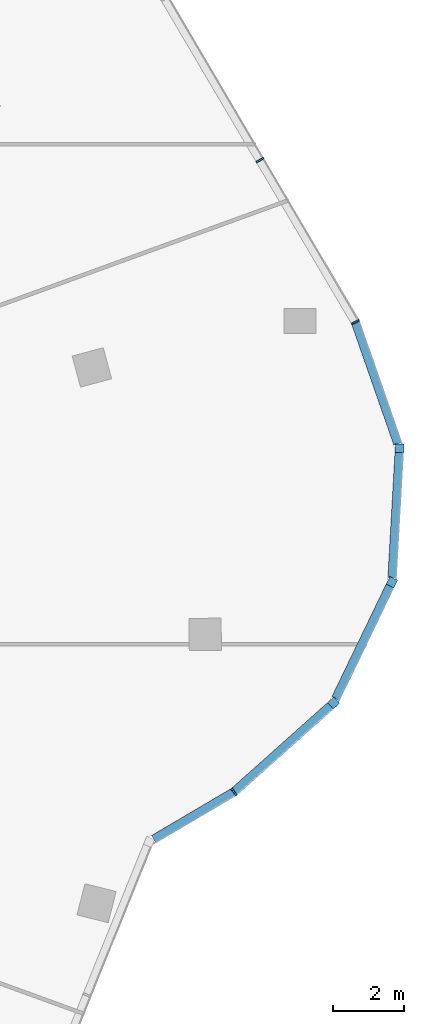
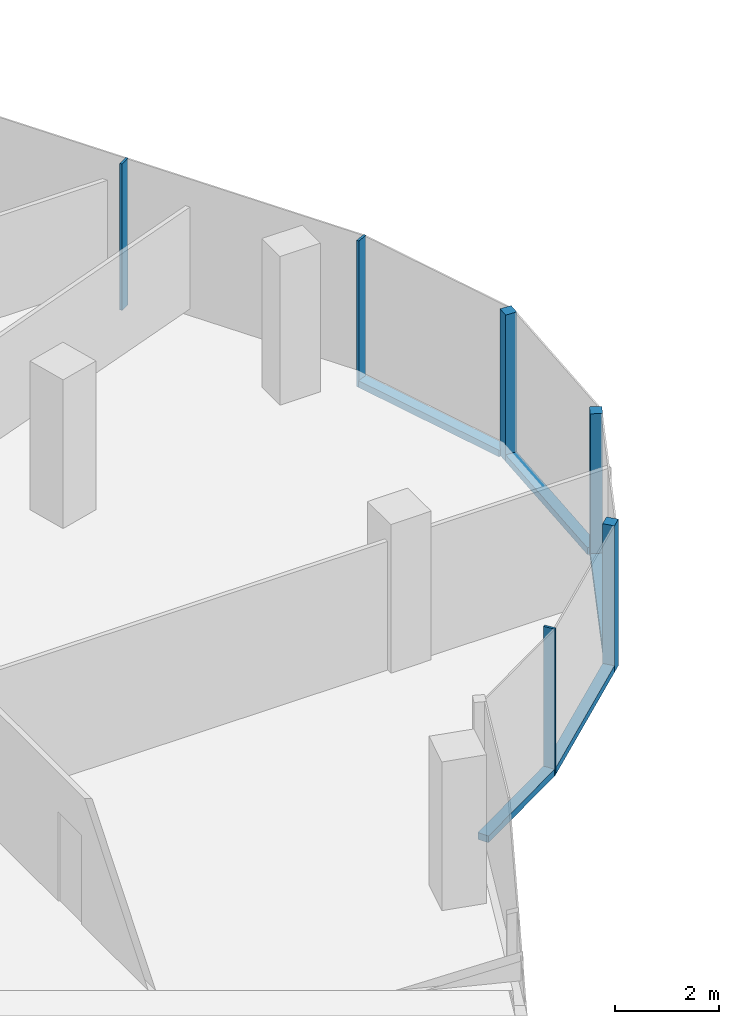
# One storey, part 9 of 17: 11 members, 6 elements without a shape of their own.
"""IFC4 building model written with IfcOpenShell, lengths in metres."""

from ifc_helpers import new_model, si_unit, direction, frame, origin, origin_2d, place, context, subcontext, project, spatial, rectangle, extrude, material, material_profile, profile_set, type_object, element, aggregate, save


model = new_model("IFC4")

# Units and contexts
model_context = context("Model", 3, precision=1e-05, world=origin(), true_north=direction((0.0, 1.0)))
body_context = subcontext(model_context, "Body", "Model", "MODEL_VIEW")
ifc_project = project(units=[si_unit("LENGTHUNIT", "METRE"), si_unit("AREAUNIT", "SQUARE_METRE"), si_unit("VOLUMEUNIT", "CUBIC_METRE"), si_unit("PLANEANGLEUNIT", "RADIAN"), si_unit("MASSUNIT", "GRAM", prefix="KILO")], contexts=[model_context])

# Site, building, storey
site_placement = place(None, origin())
site = spatial("IfcSite", under=ifc_project, at=site_placement, CompositionType="ELEMENT")
building_placement = place(site_placement, origin())
building = spatial("IfcBuilding", under=site, at=building_placement, Name="Orlundy Tower", CompositionType="ELEMENT")
storey_placement = place(building_placement, frame((0.0, 0.0, 296.39990234375)))
storey = spatial("IfcBuildingStorey", under=building, at=storey_placement, Name="L79", CompositionType="ELEMENT", Elevation=296.39990234375)

# Curtain wall, member
ifc_material_1 = material(Name="Aluminium bronze anodised", Category="aluminium")
curtain_wall_type = type_object("IfcCurtainWallType", Name="CW6 wall", PredefinedType="NOTDEFINED", material=ifc_material_1)
curtain_wall_1_placement = place(storey_placement, origin())
curtain_wall_1 = element("IfcCurtainWall", 1, at=curtain_wall_1_placement, inside=storey, type_object=curtain_wall_type, Name="CW6 run 015", PredefinedType="NOTDEFINED")
ifc_material_2 = material(Name="Aluminium bronze anodised", Category="aluminium")
ifc_material_profile_1 = material_profile(ifc_material_2, rectangle(XDim=0.239990234375, YDim=0.239990234375, at=origin_2d()), Name="CW6 corner post 240x240")
ifc_profile_set_1 = profile_set([ifc_material_profile_1], Name="Aluminium bronze anodised")
member_type_1 = type_object("IfcMemberType", Name="CW6 corner post 240x240", PredefinedType="MULLION", material=ifc_profile_set_1)
member_1_placement = place(storey_placement, frame((37.26025390625, 5.488037109375, -0.39990234375), z_axis=(0.0, 0.0, 1.0), x_axis=(0.998394082315, -0.056650299193, 0.0)))
member_1 = element("IfcMember", 2, at=member_1_placement, type_object=member_type_1, Name="CW6 mullion 43", PredefinedType="MULLION", context=body_context, shape_type="SweptSolid", body=[
    extrude(rectangle(XDim=0.239990234375, YDim=0.239990234375, at=origin_2d()), origin(), (0.0, 0.0, 1.0), 3.449951171875),
])

curtain_wall_2_placement = place(storey_placement, origin())
curtain_wall_2 = element("IfcCurtainWall", 3, at=curtain_wall_2_placement, inside=storey, type_object=curtain_wall_type, Name="CW6 run 016", PredefinedType="NOTDEFINED")
member_2_placement = place(storey_placement, frame((37.04736328125, 1.7392578125, -0.39990234375), z_axis=(0.0, 0.0, 1.0), x_axis=(0.900704581715, -0.434432108019, 0.0)))
member_2 = element("IfcMember", 4, at=member_2_placement, type_object=member_type_1, Name="CW6 mullion 44", PredefinedType="MULLION", context=body_context, shape_type="SweptSolid", body=[
    extrude(rectangle(XDim=0.239990234375, YDim=0.239990234375, at=origin_2d()), origin(), (0.0, 0.0, 1.0), 3.449951171875),
])

curtain_wall_3_placement = place(storey_placement, origin())
curtain_wall_3 = element("IfcCurtainWall", 5, at=curtain_wall_3_placement, inside=storey, type_object=curtain_wall_type, Name="CW6 run 017", PredefinedType="NOTDEFINED")
member_3_placement = place(storey_placement, frame((35.416748046875, -1.6416015625, -0.39990234375), z_axis=(0.0, 0.0, 1.0), x_axis=(0.665919287575, -0.746023794818, 0.0)))
member_3 = element("IfcMember", 6, at=member_3_placement, type_object=member_type_1, Name="CW6 mullion 45", PredefinedType="MULLION", context=body_context, shape_type="SweptSolid", body=[
    extrude(rectangle(XDim=0.239990234375, YDim=0.239990234375, at=origin_2d()), origin(), (0.0, 0.0, 1.0), 3.449951171875),
])

curtain_wall_4_placement = place(storey_placement, origin())
curtain_wall_4 = element("IfcCurtainWall", 7, at=curtain_wall_4_placement, inside=storey, type_object=curtain_wall_type, Name="CW6 run 00", PredefinedType="NOTDEFINED")
ifc_material_3 = material(Name="Aluminium bronze anodised", Category="aluminium")
ifc_material_profile_2 = material_profile(ifc_material_3, rectangle(XDim=0.239990234375, YDim=0.050048828125, at=origin_2d()), Name="CW6 mullion 50x240")
ifc_profile_set_2 = profile_set([ifc_material_profile_2], Name="Aluminium bronze anodised")
member_type_2 = type_object("IfcMemberType", Name="CW6 mullion 50x240", PredefinedType="MULLION", material=ifc_profile_set_2)
member_4_placement = place(storey_placement, frame((32.6240234375, -4.13427734375, -0.39990234375), z_axis=(0.0, 0.0, 1.0), x_axis=(0.589554347127, -0.807728711749, 0.0)))
member_4 = element("IfcMember", 8, at=member_4_placement, type_object=member_type_2, Name="CW6 mullion 1", PredefinedType="MULLION", context=body_context, shape_type="SweptSolid", body=[
    extrude(rectangle(XDim=0.239990234375, YDim=0.050048828125, at=origin_2d()), origin(), (0.0, 0.0, 1.0), 3.449951171875),
])

curtain_wall_5_placement = place(storey_placement, origin())
curtain_wall_5 = element("IfcCurtainWall", 9, at=curtain_wall_5_placement, inside=storey, type_object=curtain_wall_type, Name="CW6 run 013", PredefinedType="NOTDEFINED")
member_5_placement = place(storey_placement, frame((33.35595703125, 13.555419921875, -0.39990234375), z_axis=(0.0, 0.0, 1.0), x_axis=(0.861632919827, 0.507531980737, 0.0)))
member_5 = element("IfcMember", 10, at=member_5_placement, type_object=member_type_2, Name="CW6 mullion 41", PredefinedType="MULLION", context=body_context, shape_type="SweptSolid", body=[
    extrude(rectangle(XDim=0.239990234375, YDim=0.050048828125, at=origin_2d()), origin(), (0.0, 0.0, 1.0), 3.449951171875),
])
aggregate(curtain_wall_5, [member_5])

curtain_wall_6_placement = place(storey_placement, origin())
curtain_wall_6 = element("IfcCurtainWall", 11, at=curtain_wall_6_placement, inside=storey, type_object=curtain_wall_type, Name="CW6 run 014", PredefinedType="NOTDEFINED")
member_6_placement = place(storey_placement, frame((36.0263671875, 9.021728515625, -0.39990234375), z_axis=(0.0, 0.0, 1.0), x_axis=(0.907242839631, 0.420607215747, 0.0)))
member_6 = element("IfcMember", 12, at=member_6_placement, type_object=member_type_2, Name="CW6 mullion 42", PredefinedType="MULLION", context=body_context, shape_type="SweptSolid", body=[
    extrude(rectangle(XDim=0.239990234375, YDim=0.050048828125, at=origin_2d()), origin(), (0.0, 0.0, 1.0), 3.449951171875),
])

# Member
ifc_material_4 = material(Name="Aluminium bronze anodised", Category="aluminium")
ifc_material_profile_3 = material_profile(ifc_material_4, rectangle(XDim=0.239990234375, YDim=0.159912109375, at=origin_2d()), Name="CW6 transom 240x160")
ifc_profile_set_3 = profile_set([ifc_material_profile_3], Name="Aluminium bronze anodised")
member_type_3 = type_object("IfcMemberType", Name="CW6 transom 240x160", PredefinedType="USERDEFINED", material=ifc_profile_set_3)
member_7_placement = place(storey_placement, frame((32.6025390625, -4.147216796875, -0.31982421875), z_axis=(-0.861649351367, -0.507504084012, 0.0), x_axis=(0.507504084012, -0.861649351367, 0.0)))
member_7 = element("IfcMember", 13, at=member_7_placement, type_object=member_type_3, Name="CW6 transom", ObjectType="TRANSOM", PredefinedType="USERDEFINED", context=body_context, shape_type="SweptSolid", body=[
    extrude(rectangle(XDim=0.239990234375, YDim=0.159912109375, at=origin_2d()), origin(), (0.0, 0.0, 1.0), 2.578857421875),
])

aggregate(curtain_wall_4, [member_4, member_7])

member_8_placement = place(storey_placement, frame((36.03466796875, 8.998046875, -0.31982421875), z_axis=(0.329607742896, -0.944117967111, 0.0), x_axis=(0.944117967111, 0.329607742896, 0.0)))
member_8 = element("IfcMember", 14, at=member_8_placement, type_object=member_type_3, Name="CW6 transom", ObjectType="TRANSOM", PredefinedType="USERDEFINED", context=body_context, shape_type="SweptSolid", body=[
    extrude(rectangle(XDim=0.239990234375, YDim=0.159912109375, at=origin_2d()), origin(), (0.0, 0.0, 1.0), 3.587890625),
])

aggregate(curtain_wall_6, [member_6, member_8])

member_9_placement = place(storey_placement, frame((37.25341796875, 5.3681640625, -0.31982421875), z_axis=(-0.056635158198, -0.998394941321, 0.0), x_axis=(0.998394941321, -0.056635158198, 0.0)))
member_9 = element("IfcMember", 15, at=member_9_placement, type_object=member_type_3, Name="CW6 transom", ObjectType="TRANSOM", PredefinedType="USERDEFINED", context=body_context, shape_type="SweptSolid", body=[
    extrude(rectangle(XDim=0.239990234375, YDim=0.159912109375, at=origin_2d()), origin(), (0.0, 0.0, 1.0), 3.504638671875),
])

aggregate(curtain_wall_1, [member_1, member_9])

member_10_placement = place(storey_placement, frame((36.995361328125, 1.63134765625, -0.31982421875), z_axis=(-0.434431430652, -0.900704908426, 0.0), x_axis=(0.900704908426, -0.434431430652, 0.0)))
member_10 = element("IfcMember", 16, at=member_10_placement, type_object=member_type_3, Name="CW6 transom", ObjectType="TRANSOM", PredefinedType="USERDEFINED", context=body_context, shape_type="SweptSolid", body=[
    extrude(rectangle(XDim=0.239990234375, YDim=0.159912109375, at=origin_2d()), origin(), (0.0, 0.0, 1.0), 3.50390625),
])

aggregate(curtain_wall_2, [member_2, member_10])

member_11_placement = place(storey_placement, frame((35.3271484375, -1.721435546875, -0.31982421875), z_axis=(-0.746003870069, -0.665941608433, 0.0), x_axis=(0.665941608433, -0.746003870069, 0.0)))
member_11 = element("IfcMember", 17, at=member_11_placement, type_object=member_type_3, Name="CW6 transom", ObjectType="TRANSOM", PredefinedType="USERDEFINED", context=body_context, shape_type="SweptSolid", body=[
    extrude(rectangle(XDim=0.239990234375, YDim=0.159912109375, at=origin_2d()), origin(), (0.0, 0.0, 1.0), 3.598388671875),
])

aggregate(curtain_wall_3, [member_3, member_11])

save(model, "model.ifc")
